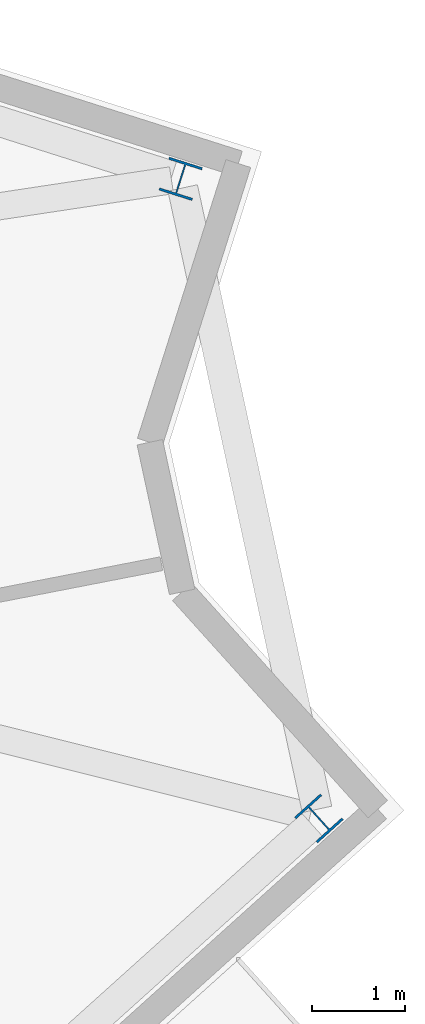
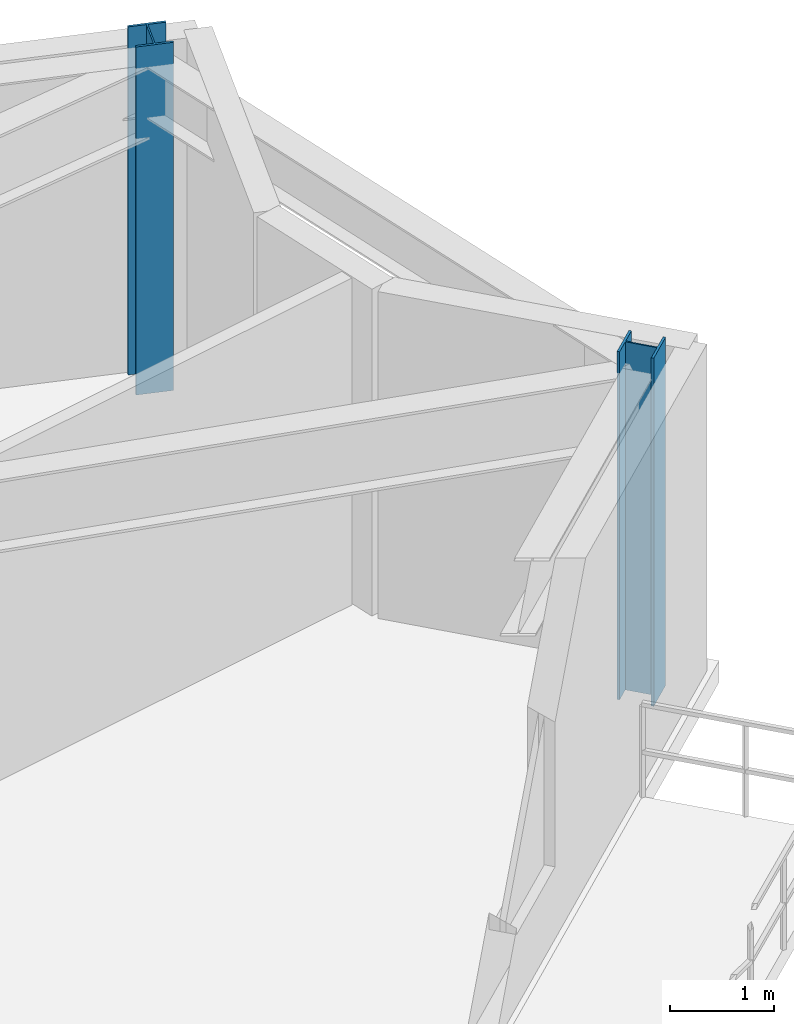
# One storey, part 3 of 11: 2 columns.
"""IFC4 building model written with IfcOpenShell, lengths in metres."""

from ifc_helpers import new_model, si_unit, direction, frame, origin, origin_2d, place, context, subcontext, project, spatial, i_section, extrude, material, material_profile, profile_set, type_object, element, save


model = new_model("IFC4")

# Units and contexts
model_context = context("Model", 3, precision=1e-05, world=origin(), true_north=direction((0.0, 1.0)))
body_context = subcontext(model_context, "Body", "Model", "MODEL_VIEW")
ifc_project = project(units=[si_unit("LENGTHUNIT", "METRE"), si_unit("AREAUNIT", "SQUARE_METRE"), si_unit("VOLUMEUNIT", "CUBIC_METRE"), si_unit("PLANEANGLEUNIT", "RADIAN"), si_unit("MASSUNIT", "GRAM", prefix="KILO")], contexts=[model_context])

# Site, building, storey
site_placement = place(None, origin())
site = spatial("IfcSite", under=ifc_project, at=site_placement, CompositionType="ELEMENT")
building_placement = place(site_placement, origin())
building = spatial("IfcBuilding", under=site, at=building_placement, Name="Apsidion Concourse Tower", CompositionType="ELEMENT")
storey_placement = place(building_placement, frame((0.0, 0.0, 244.5)))
storey = spatial("IfcBuildingStorey", under=building, at=storey_placement, Name="L57", CompositionType="ELEMENT", Elevation=244.5)

# Columns
ifc_material = material(Name="Structural steel ASTM A992 Grade 50", Category="steel")
ifc_material_profile = material_profile(ifc_material, i_section(OverallWidth=0.373046875, OverallDepth=0.373046875, WebThickness=0.016357421875, FlangeThickness=0.026123046875, at=origin_2d()), Name="W14X132")
ifc_profile_set = profile_set([ifc_material_profile], Name="Structural steel ASTM A992 Grade 50")
column_type = type_object("IfcColumnType", Name="COL-W14-132", PredefinedType="COLUMN", material=ifc_profile_set)
for number, where, z_axis, x_axis, name in (
    (1, (30.300537109375, 2.81591796875, 0.0), (0.0, 0.0, 1.0), (0.743144825477, 0.669130606359, 0.0), "L57 Rotated Perimeter Column PC08"),
    (2, (28.811279296875, 9.705810546875, 0.0), (0.0, 0.0, 1.0), (-0.953137879774, 0.3025362493, 0.0), "L57 Rotated Perimeter Column PC09"),
):
    element("IfcColumn", number, at=place(storey_placement, frame(where, z_axis=z_axis, x_axis=x_axis)), inside=storey, type_object=column_type, Name=name, PredefinedType="COLUMN", context=body_context, shape_type="SweptSolid", body=[
        extrude(i_section(OverallWidth=0.373046875, OverallDepth=0.373046875, WebThickness=0.016357421875, FlangeThickness=0.026123046875, at=origin_2d()), origin(), (0.0, 0.0, 1.0), 4.10009765625),
    ])

save(model, "model.ifc")
